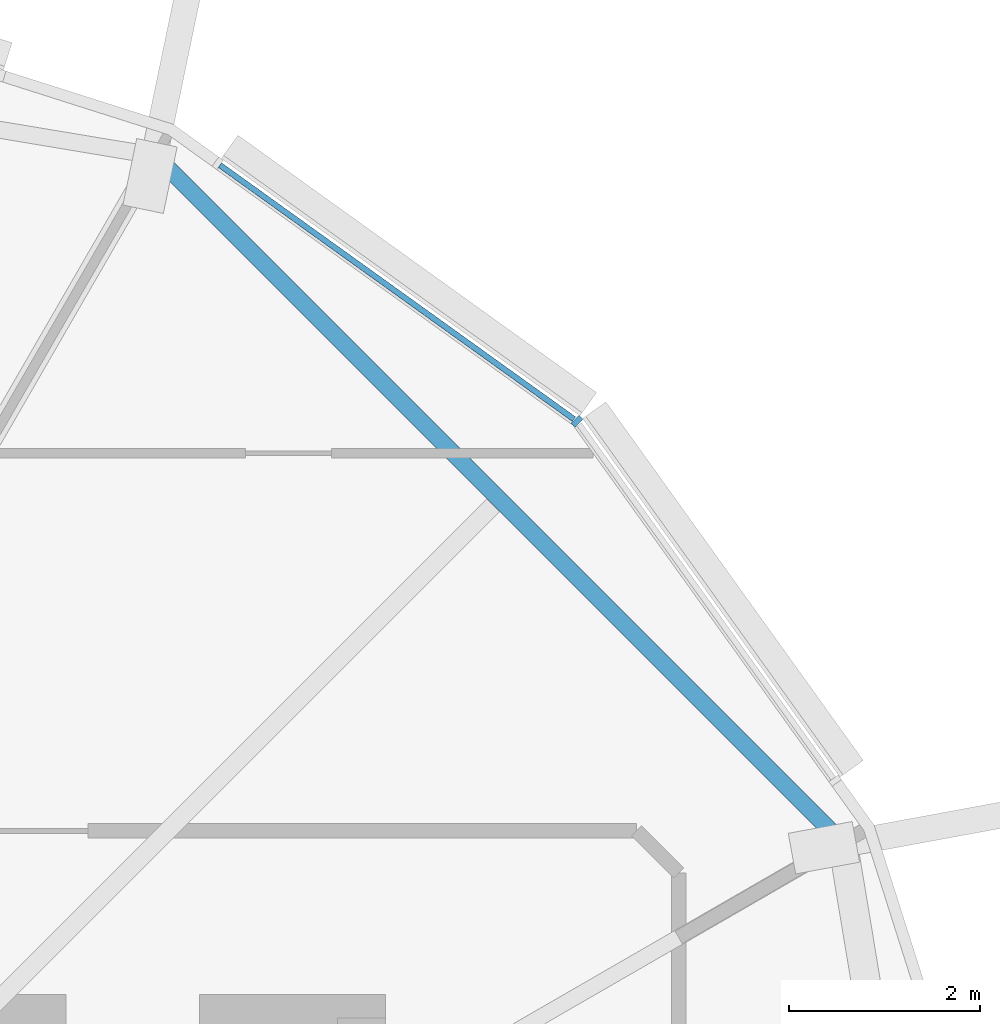
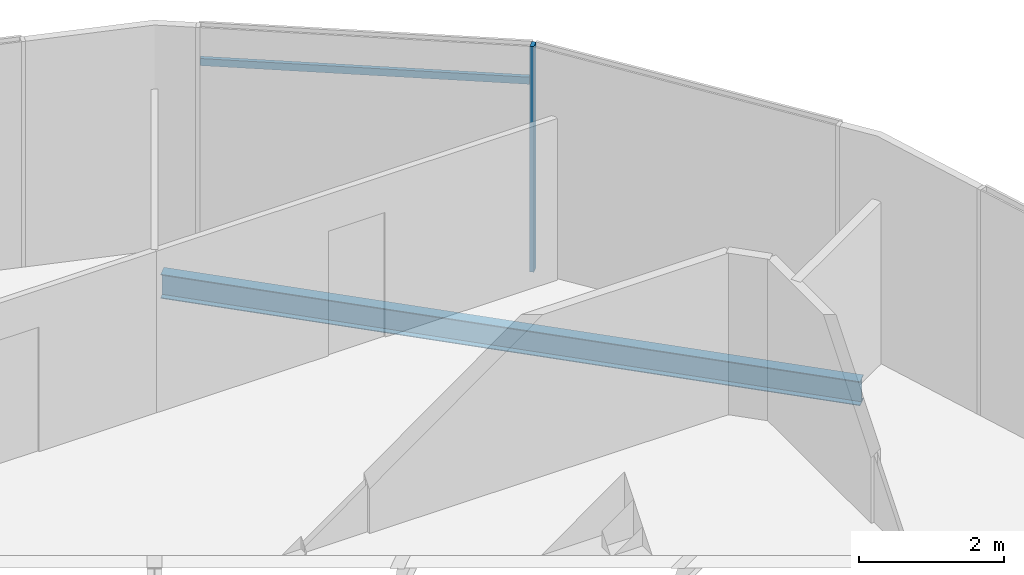
# One storey, part 16 of 36: 2 members, 1 beam, 1 element without a shape of its own.
"""IFC4 building model written with IfcOpenShell, lengths in metres."""

from ifc_helpers import new_model, si_unit, direction, frame, origin, origin_2d, place, context, subcontext, project, spatial, rectangle, i_section, extrude, material, material_profile, profile_set, type_object, element, aggregate, save


model = new_model("IFC4")

# Units and contexts
model_context = context("Model", 3, precision=1e-05, world=origin(), true_north=direction((0.0, 1.0)))
body_context = subcontext(model_context, "Body", "Model", "MODEL_VIEW")
ifc_project = project(units=[si_unit("LENGTHUNIT", "METRE"), si_unit("AREAUNIT", "SQUARE_METRE"), si_unit("VOLUMEUNIT", "CUBIC_METRE"), si_unit("PLANEANGLEUNIT", "RADIAN"), si_unit("MASSUNIT", "GRAM", prefix="KILO")], contexts=[model_context])

# Site, building, storey
site_placement = place(None, origin())
site = spatial("IfcSite", under=ifc_project, at=site_placement, CompositionType="ELEMENT")
building_placement = place(site_placement, origin())
building = spatial("IfcBuilding", under=site, at=building_placement, Name="Rimbun Link Towers", CompositionType="ELEMENT")
storey_placement = place(building_placement, frame((0.0, 0.0, 248.5)))
storey = spatial("IfcBuildingStorey", under=building, at=storey_placement, Name="L61", CompositionType="ELEMENT", Elevation=248.5)

# Curtain wall, members
ifc_material_1 = material(Name="Aluminium 6063-T6 and low-iron glass", Category="aluminium")
curtain_wall_type = type_object("IfcCurtainWallType", Name="CW1-Z4 unitised vision wall (zone 4)", PredefinedType="NOTDEFINED", material=ifc_material_1)
curtain_wall_placement = place(storey_placement, origin())
curtain_wall = element("IfcCurtainWall", 1, at=curtain_wall_placement, inside=storey, type_object=curtain_wall_type, Name="CW1 L61 T2", PredefinedType="NOTDEFINED")
ifc_material_2 = material(Name="Aluminium 6063-T6", Category="aluminium")
ifc_material_profile_1 = material_profile(ifc_material_2, rectangle(XDim=0.1201171875, YDim=0.06005859375, at=origin_2d()), Name="MULLION 60X120")
ifc_profile_set_1 = profile_set([ifc_material_profile_1], Name="Aluminium 6063-T6")
member_type_1 = type_object("IfcMemberType", Name="CW1 mullion 60X120", PredefinedType="MULLION", material=ifc_profile_set_1)
member_1_placement = place(storey_placement, frame((46.0107421875, 14.2607421875, 0.0), z_axis=(0.0, 0.0, 1.0), x_axis=(0.707106781187, 0.707106781187, 0.0)))
member_1 = element("IfcMember", 2, at=member_1_placement, type_object=member_type_1, Name="CW1 mullion", PredefinedType="MULLION", context=body_context, shape_type="SweptSolid", body=[
    extrude(rectangle(XDim=0.1201171875, YDim=0.06005859375, at=origin_2d()), origin(), (0.0, 0.0, 1.0), 3.800048828125),
])
ifc_material_3 = material(Name="Aluminium 6063-T6", Category="aluminium")
ifc_material_profile_2 = material_profile(ifc_material_3, rectangle(XDim=0.06005859375, YDim=0.1201171875, at=origin_2d()), Name="TRANSOM 60X120")
ifc_profile_set_2 = profile_set([ifc_material_profile_2], Name="Aluminium 6063-T6")
member_type_2 = type_object("IfcMemberType", Name="CW1 transom 60X120", PredefinedType="USERDEFINED", material=ifc_profile_set_2)
member_2_placement = place(storey_placement, frame((42.264892578125, 16.947021484375, 3.199951171875), z_axis=(0.812489840132, -0.582975350836, 0.0), x_axis=(0.582975350836, 0.812489840132, 0.0)))
member_2 = element("IfcMember", 3, at=member_2_placement, type_object=member_type_2, Name="CW1 transom", ObjectType="TRANSOM", PredefinedType="USERDEFINED", context=body_context, shape_type="SweptSolid", body=[
    extrude(rectangle(XDim=0.06005859375, YDim=0.1201171875, at=origin_2d()), origin(), (0.0, 0.0, 1.0), 4.56982421875),
])
aggregate(curtain_wall, [member_1, member_2])

# Beam
ifc_material_4 = material(Name="Steel S355J2", Category="steel")
ifc_material_profile_3 = material_profile(ifc_material_4, i_section(OverallWidth=0.177978515625, OverallDepth=0.406494140625, WebThickness=0.0078125, FlangeThickness=0.0126953125, at=origin_2d()), Name="UB 406x178x60")
ifc_profile_set_3 = profile_set([ifc_material_profile_3], Name="Steel S355J2")
beam_type = type_object("IfcBeamType", Name="UB 406x178x60", PredefinedType="BEAM", material=ifc_profile_set_3)
beam_placement = place(storey_placement, frame((48.734619140625, 9.90234375, -0.34326171875), z_axis=(-0.707106781187, 0.707106781187, 0.0), x_axis=(-0.707106781187, -0.707106781187, 0.0)))
element("IfcBeam", 4, at=beam_placement, inside=storey, type_object=beam_type, Name="Edge beam T2 L61 23-01", PredefinedType="BEAM", context=body_context, shape_type="SweptSolid", body=[
    extrude(i_section(OverallWidth=0.177978515625, OverallDepth=0.406494140625, WebThickness=0.0078125, FlangeThickness=0.0126953125, at=origin_2d()), origin(), (0.0, 0.0, 1.0), 9.99267578125),
])

save(model, "model.ifc")
